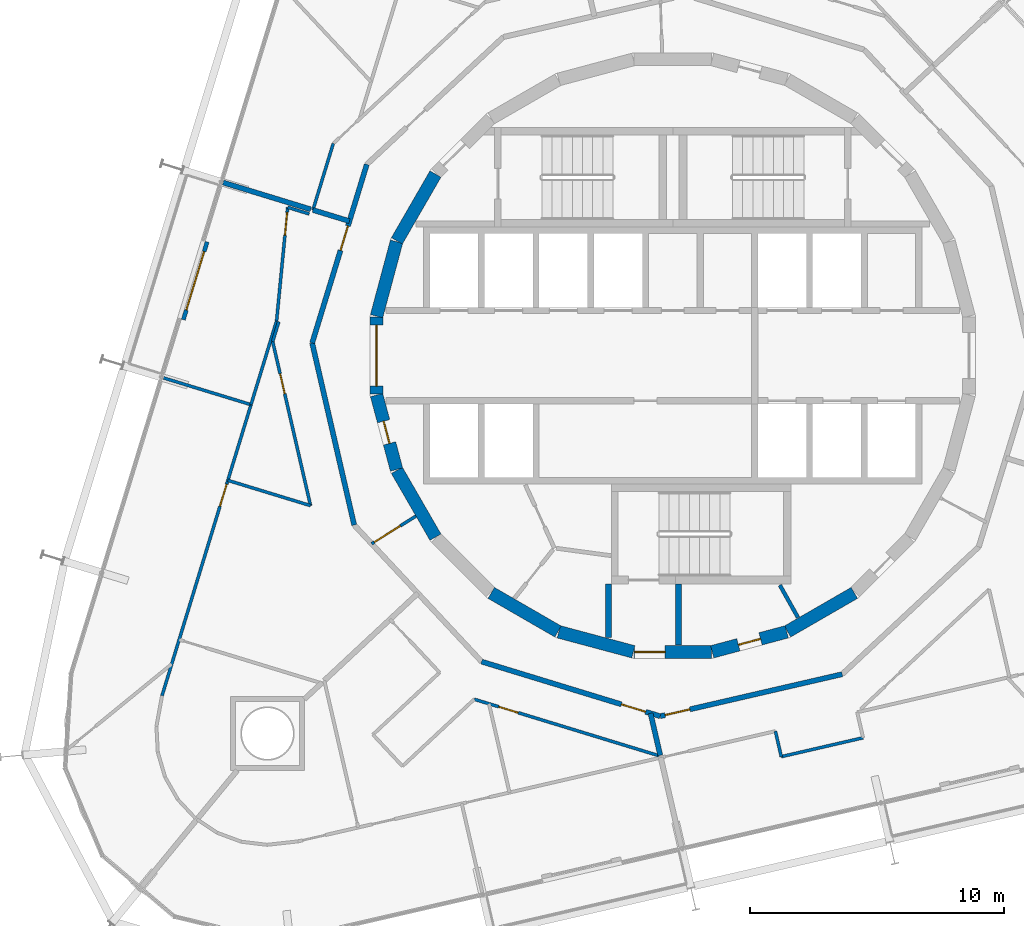
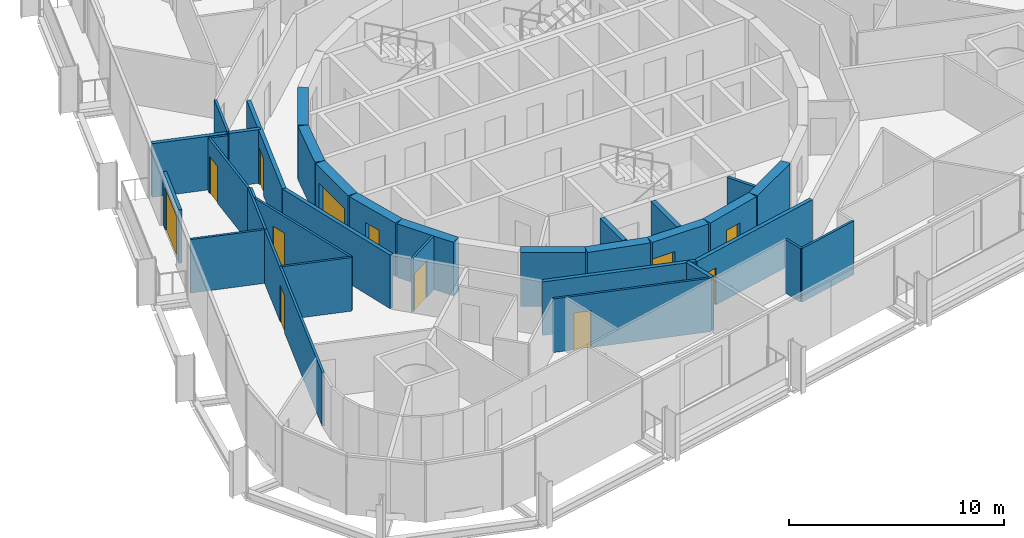
# One storey, part 12 of 18: 34 walls, 13 doors, 13 openings.
"""IFC4 building model written with IfcOpenShell, lengths in metres."""

from ifc_helpers import new_model, si_unit, direction, frame, frame_2d, origin, place, context, subcontext, project, spatial, rectangle, extrude, material, layer, layer_set, type_object, element, fill, save


model = new_model("IFC4")

# Units and contexts
model_context = context("Model", 3, precision=1e-05, world=origin(), true_north=direction((0.0, 1.0)))
body_context = subcontext(model_context, "Body", "Model", "MODEL_VIEW")
ifc_project = project(units=[si_unit("LENGTHUNIT", "METRE"), si_unit("AREAUNIT", "SQUARE_METRE"), si_unit("VOLUMEUNIT", "CUBIC_METRE"), si_unit("PLANEANGLEUNIT", "RADIAN"), si_unit("MASSUNIT", "GRAM", prefix="KILO")], contexts=[model_context])

# Site, building, storey
site_placement = place(None, origin())
site = spatial("IfcSite", under=ifc_project, at=site_placement, CompositionType="ELEMENT")
building_placement = place(site_placement, origin())
building = spatial("IfcBuilding", under=site, at=building_placement, Name="Spindle Arch Residences", CompositionType="ELEMENT")
storey_placement = place(building_placement, frame((0.0, 0.0, 141.39990234375)))
storey = spatial("IfcBuildingStorey", under=building, at=storey_placement, Name="L35", CompositionType="ELEMENT", Elevation=141.39990234375)

# Wall, opening, door
ifc_material_1 = material(Name="Concrete C50/60", Category="concrete")
ifc_layer_1 = layer(ifc_material_1, 0.5)
ifc_layer_set_1 = layer_set([ifc_layer_1], Name="Core outline wall 500")
wall_type_1 = type_object("IfcWallType", Name="Core outline wall 500", PredefinedType="SHEAR", material=ifc_layer_set_1)
wall_1_placement = place(storey_placement, frame((1.5498046875, -11.642822265625, 0.0), z_axis=(0.0, 0.0, 1.0), x_axis=(0.965948410781, 0.258734743916, 0.0)))
wall_1 = element("IfcWall", 1, at=wall_1_placement, inside=storey, type_object=wall_type_1, Name="Core outline wall 1", PredefinedType="SHEAR", context=body_context, shape_type="SweptSolid", body=[
    extrude(rectangle(XDim=3.03271484375, YDim=0.5, at=frame_2d((1.516357421875, 0.0))), origin(), (0.0, 0.0, 1.0), 3.050048828125),
])
opening_1_placement = place(wall_1_placement, frame((1.06640625, 0.0, 0.0)))
opening_1 = element("IfcOpeningElement", 2, at=opening_1_placement, cuts=wall_1, Name="Opening R3C0-WD08", PredefinedType="OPENING", context=body_context, shape_type="SweptSolid", body=[
    extrude(rectangle(XDim=0.89990234375, YDim=2.10009765625, at=frame_2d((0.449951171875, 1.050048828125))), frame((0.0, 0.260009765625, 0.0), z_axis=(0.0, -1.0, 0.0), x_axis=(1.0, 0.0, 0.0)), (0.0, 0.0, 1.0), 0.52001953125),
])
ifc_material_2 = material(Name="Steel, fire-resisting door", Category="steel")
door_type_1 = type_object("IfcDoorType", Name="Service room door 900x2100", OperationType="SINGLE_SWING_LEFT", PredefinedType="DOOR", material=ifc_material_2)
door_1_placement = place(opening_1_placement, origin())
door_1 = element("IfcDoor", 3, at=door_1_placement, inside=storey, type_object=door_type_1, Name="Service room door R3C0-WD08", OperationType="SINGLE_SWING_LEFT", OverallHeight=2.10009765625, OverallWidth=0.89990234375, PredefinedType="DOOR", context=body_context, shape_type="SweptSolid", body=[
    extrude(rectangle(XDim=0.89990234375, YDim=2.10009765625, at=frame_2d((0.449951171875, 1.050048828125))), frame((0.0, 0.02490234375, 0.0), z_axis=(0.0, -1.0, 0.0), x_axis=(1.0, 0.0, 0.0)), (0.0, 0.0, 1.0), 0.050048828125),
])
fill(opening_1, door_1)

# Walls
for number, where, z_axis, x_axis, name in (
    (4, (4.510498046875, -10.84521484375, 0.0), (0.0, 0.0, 1.0), (0.865975092491, 0.500087131594, 0.0), "Core outline wall 2"),
    (5, (-9.32861328125, 7.13671875, 0.0), (0.0, 0.0, 1.0), (-0.500087131594, -0.865975092491, 0.0), "Core outline wall 16"),
    (6, (-10.858154296875, 4.479248046875, 0.0), (0.0, 0.0, 1.0), (-0.258734743916, -0.965948410781, 0.0), "Core outline wall 17"),
):
    element("IfcWall", number, at=place(storey_placement, frame(where, z_axis=z_axis, x_axis=x_axis)), inside=storey, type_object=wall_type_1, Name=name, PredefinedType="SHEAR", context=body_context, shape_type="SweptSolid", body=[
        extrude(rectangle(XDim=3.03271484375, YDim=0.5, at=frame_2d((1.516357421875, 0.0))), origin(), (0.0, 0.0, 1.0), 3.050048828125),
    ])

# Wall, opening, door
wall_2_placement = place(storey_placement, frame((-11.647216796875, 1.516357421875, 0.0), z_axis=(0.0, 0.0, 1.0), x_axis=(0.0, -1.0, 0.0)))
wall_2 = element("IfcWall", 7, at=wall_2_placement, inside=storey, type_object=wall_type_1, Name="Core outline wall 18", PredefinedType="SHEAR", context=body_context, shape_type="SweptSolid", body=[
    extrude(rectangle(XDim=3.03271484375, YDim=0.5, at=frame_2d((1.516357421875, 0.0))), origin(), (0.0, 0.0, 1.0), 3.050048828125),
])
opening_2_placement = place(wall_2_placement, frame((0.31640625, 0.0, 0.0)))
opening_2 = element("IfcOpeningElement", 8, at=opening_2_placement, cuts=wall_2, Name="Opening R3C0-LE01", PredefinedType="OPENING", context=body_context, shape_type="SweptSolid", body=[
    extrude(rectangle(XDim=2.39990234375, YDim=2.10009765625, at=frame_2d((1.199951171875, 1.050048828125))), frame((0.0, 0.260009765625, 0.0), z_axis=(0.0, -1.0, 0.0), x_axis=(1.0, 0.0, 0.0)), (0.0, 0.0, 1.0), 0.52001953125),
])
ifc_material_3 = material(Name="Steel, fire-resisting door", Category="steel")
door_type_2 = type_object("IfcDoorType", Name="Lift lobby entrance door 2400x2100", OperationType="DOUBLE_DOOR_SINGLE_SWING", PredefinedType="DOOR", material=ifc_material_3)
door_2_placement = place(opening_2_placement, origin())
door_2 = element("IfcDoor", 9, at=door_2_placement, inside=storey, type_object=door_type_2, Name="Lift lobby entrance door R3C0-LE01", OperationType="DOUBLE_DOOR_SINGLE_SWING", OverallHeight=2.10009765625, OverallWidth=2.39990234375, PredefinedType="DOOR", context=body_context, shape_type="SweptSolid", body=[
    extrude(rectangle(XDim=2.39990234375, YDim=2.10009765625, at=frame_2d((1.199951171875, 1.050048828125))), frame((0.0, 0.02490234375, 0.0), z_axis=(0.0, -1.0, 0.0), x_axis=(1.0, 0.0, 0.0)), (0.0, 0.0, 1.0), 0.050048828125),
])
fill(opening_2, door_2)

wall_3_placement = place(storey_placement, frame((-11.642822265625, -1.5498046875, 0.0), z_axis=(0.0, 0.0, 1.0), x_axis=(0.258734743916, -0.965948410781, 0.0)))
wall_3 = element("IfcWall", 10, at=wall_3_placement, inside=storey, type_object=wall_type_1, Name="Core outline wall 19", PredefinedType="SHEAR", context=body_context, shape_type="SweptSolid", body=[
    extrude(rectangle(XDim=3.03271484375, YDim=0.5, at=frame_2d((1.516357421875, 0.0))), origin(), (0.0, 0.0, 1.0), 3.050048828125),
])
opening_3_placement = place(wall_3_placement, frame((1.06640625, 0.0, 0.0)))
opening_3 = element("IfcOpeningElement", 11, at=opening_3_placement, cuts=wall_3, Name="Opening R3C0-WD09", PredefinedType="OPENING", context=body_context, shape_type="SweptSolid", body=[
    extrude(rectangle(XDim=0.89990234375, YDim=2.10009765625, at=frame_2d((0.449951171875, 1.050048828125))), frame((0.0, 0.260009765625, 0.0), z_axis=(0.0, -1.0, 0.0), x_axis=(1.0, 0.0, 0.0)), (0.0, 0.0, 1.0), 0.52001953125),
])
door_3_placement = place(opening_3_placement, origin())
door_3 = element("IfcDoor", 12, at=door_3_placement, inside=storey, type_object=door_type_1, Name="Service room door R3C0-WD09", OperationType="SINGLE_SWING_RIGHT", OverallHeight=2.10009765625, OverallWidth=0.89990234375, PredefinedType="DOOR", context=body_context, shape_type="SweptSolid", body=[
    extrude(rectangle(XDim=0.89990234375, YDim=2.10009765625, at=frame_2d((0.449951171875, 1.050048828125))), frame((0.0, 0.02490234375, 0.0), z_axis=(0.0, -1.0, 0.0), x_axis=(1.0, 0.0, 0.0)), (0.0, 0.0, 1.0), 0.050048828125),
])
fill(opening_3, door_3)

# Walls
for number, where, z_axis, x_axis, name in (
    (13, (-10.84521484375, -4.510498046875, 0.0), (0.0, 0.0, 1.0), (0.500087131594, -0.865975092491, 0.0), "Core outline wall 20"),
    (14, (-7.13671875, -9.32861328125, 0.0), (0.0, 0.0, 1.0), (0.865975092491, -0.500087131594, 0.0), "Core outline wall 22"),
    (15, (-4.479248046875, -10.858154296875, 0.0), (0.0, 0.0, 1.0), (0.965948410781, -0.258734743916, 0.0), "Core outline wall 23"),
):
    element("IfcWall", number, at=place(storey_placement, frame(where, z_axis=z_axis, x_axis=x_axis)), inside=storey, type_object=wall_type_1, Name=name, PredefinedType="SHEAR", context=body_context, shape_type="SweptSolid", body=[
        extrude(rectangle(XDim=3.03271484375, YDim=0.5, at=frame_2d((1.516357421875, 0.0))), origin(), (0.0, 0.0, 1.0), 3.050048828125),
    ])

# Wall, opening, door
wall_4_placement = place(storey_placement, frame((-1.516357421875, -11.647216796875, 0.0), z_axis=(0.0, 0.0, 1.0), x_axis=(1.0, 0.0, 0.0)))
wall_4 = element("IfcWall", 16, at=wall_4_placement, inside=storey, type_object=wall_type_1, Name="Core outline wall 24", PredefinedType="SHEAR", context=body_context, shape_type="SweptSolid", body=[
    extrude(rectangle(XDim=3.03271484375, YDim=0.5, at=frame_2d((1.516357421875, 0.0))), origin(), (0.0, 0.0, 1.0), 3.050048828125),
])
opening_4_placement = place(wall_4_placement, frame((0.016357421875, 0.0, 0.0)))
opening_4 = element("IfcOpeningElement", 17, at=opening_4_placement, cuts=wall_4, Name="Opening R3C0-AD03", PredefinedType="OPENING", context=body_context, shape_type="SweptSolid", body=[
    extrude(rectangle(XDim=1.199951171875, YDim=2.10009765625, at=frame_2d((0.60009765625, 1.050048828125))), frame((0.0, 0.260009765625, 0.0), z_axis=(0.0, -1.0, 0.0), x_axis=(1.0, 0.0, 0.0)), (0.0, 0.0, 1.0), 0.52001953125),
])
ifc_material_4 = material(Name="Steel, fire-resisting door", Category="steel")
door_type_3 = type_object("IfcDoorType", Name="Stair airlock door 1200x2100", OperationType="SINGLE_SWING_LEFT", PredefinedType="DOOR", material=ifc_material_4)
door_4_placement = place(opening_4_placement, origin())
door_4 = element("IfcDoor", 18, at=door_4_placement, inside=storey, type_object=door_type_3, Name="Stair airlock door R3C0-AD03", OperationType="SINGLE_SWING_RIGHT", OverallHeight=2.10009765625, OverallWidth=1.199951171875, PredefinedType="DOOR", context=body_context, shape_type="SweptSolid", body=[
    extrude(rectangle(XDim=1.199951171875, YDim=2.10009765625, at=frame_2d((0.60009765625, 1.050048828125))), frame((0.0, 0.02490234375, 0.0), z_axis=(0.0, -1.0, 0.0), x_axis=(1.0, 0.0, 0.0)), (0.0, 0.0, 1.0), 0.050048828125),
])
fill(opening_4, door_4)

ifc_material_5 = material(Name="Plasterboard on steel studs", Category="steel")
ifc_layer_2 = layer(ifc_material_5, 0.1201171875)
ifc_layer_set_2 = layer_set([ifc_layer_2], Name="Corridor division wall 120")
wall_type_2 = type_object("IfcWallType", Name="Corridor division wall 120", PredefinedType="PARTITIONING", material=ifc_layer_set_2)
wall_5_placement = place(storey_placement, frame((-11.835693359375, -7.395751953125, 0.0), z_axis=(0.0, 0.0, 1.0), x_axis=(0.848071831599, 0.529881277692, 0.0)))
wall_5 = element("IfcWall", 19, at=wall_5_placement, inside=storey, type_object=wall_type_2, Name="Corridor division wall R3C0-W003", PredefinedType="PARTITIONING", context=body_context, shape_type="SweptSolid", body=[
    extrude(rectangle(XDim=2.0517578125, YDim=0.1201171875, at=frame_2d((1.02587890625, 0.0))), origin(), (0.0, 0.0, 1.0), 3.050048828125),
])
opening_5_placement = place(wall_5_placement, frame((0.125, 0.0, 0.0)))
opening_5 = element("IfcOpeningElement", 20, at=opening_5_placement, cuts=wall_5, Name="Opening R3C0-CD03", PredefinedType="OPENING", context=body_context, shape_type="SweptSolid", body=[
    extrude(rectangle(XDim=1.199951171875, YDim=2.10009765625, at=frame_2d((0.60009765625, 1.050048828125))), frame((0.0, 0.070068359375, 0.0), z_axis=(0.0, -1.0, 0.0), x_axis=(1.0, 0.0, 0.0)), (0.0, 0.0, 1.0), 0.14013671875),
])
ifc_material_6 = material(Name="Steel, fire-resisting door", Category="steel")
door_type_4 = type_object("IfcDoorType", Name="Corridor division door 1200x2100", OperationType="NOTDEFINED", PredefinedType="DOOR", material=ifc_material_6)
door_5_placement = place(opening_5_placement, origin())
door_5 = element("IfcDoor", 21, at=door_5_placement, inside=storey, type_object=door_type_4, Name="Corridor division door R3C0-CD03", OperationType="DOUBLE_DOOR_SINGLE_SWING", OverallHeight=2.10009765625, OverallWidth=1.199951171875, PredefinedType="DOOR", context=body_context, shape_type="SweptSolid", body=[
    extrude(rectangle(XDim=1.199951171875, YDim=2.10009765625, at=frame_2d((0.60009765625, 1.050048828125))), frame((0.0, 0.02490234375, 0.0), z_axis=(0.0, -1.0, 0.0), x_axis=(1.0, 0.0, 0.0)), (0.0, 0.0, 1.0), 0.050048828125),
])
fill(opening_5, door_5)

ifc_material_7 = material(Name="Calcium silicate block, plastered")
ifc_layer_3 = layer(ifc_material_7, 0.199951171875)
ifc_layer_set_3 = layer_set([ifc_layer_3], Name="Corridor wall 200")
wall_type_3 = type_object("IfcWallType", Name="Corridor wall 200", PredefinedType="STANDARD", material=ifc_layer_set_3)
wall_6_placement = place(storey_placement, frame((-12.028076171875, 7.51611328125, 0.0), z_axis=(0.0, 0.0, 1.0), x_axis=(-0.292365533182, -0.956306642771, 0.0)))
wall_6 = element("IfcWall", 22, at=wall_6_placement, inside=storey, type_object=wall_type_3, Name="Corridor wall R3C0-W010", PredefinedType="STANDARD", context=body_context, shape_type="SweptSolid", body=[
    extrude(rectangle(XDim=7.341796875, YDim=0.199951171875, at=frame_2d((3.6708984375, 0.0))), origin(), (0.0, 0.0, 1.0), 3.050048828125),
])
opening_6_placement = place(wall_6_placement, frame((2.53271484375, 0.0, 0.0)))
opening_6 = element("IfcOpeningElement", 23, at=opening_6_placement, cuts=wall_6, Name="Opening R3C0-FD04", PredefinedType="OPENING", context=body_context, shape_type="SweptSolid", body=[
    extrude(rectangle(XDim=1.0, YDim=2.10009765625, at=frame_2d((0.5, 1.050048828125))), frame((0.0, 0.10986328125, 0.0), z_axis=(0.0, -1.0, 0.0), x_axis=(1.0, 0.0, 0.0)), (0.0, 0.0, 1.0), 0.219970703125),
])
ifc_material_8 = material(Name="Timber, fire-resisting door set", Category="wood")
door_type_5 = type_object("IfcDoorType", Name="Flat entrance door 1000x2100", OperationType="NOTDEFINED", PredefinedType="DOOR", material=ifc_material_8)
door_6_placement = place(opening_6_placement, origin())
door_6 = element("IfcDoor", 24, at=door_6_placement, inside=storey, type_object=door_type_5, Name="Flat entrance door R3C0-FD04", OperationType="SINGLE_SWING_LEFT", OverallHeight=2.10009765625, OverallWidth=1.0, PredefinedType="DOOR", context=body_context, shape_type="SweptSolid", body=[
    extrude(rectangle(XDim=1.0, YDim=2.10009765625, at=frame_2d((0.5, 1.050048828125))), frame((0.0, 0.02490234375, 0.0), z_axis=(0.0, -1.0, 0.0), x_axis=(1.0, 0.0, 0.0)), (0.0, 0.0, 1.0), 0.050048828125),
])
fill(opening_6, door_6)

# Wall
wall_7_placement = place(storey_placement, frame((-14.174560546875, 0.4951171875, 0.0), z_axis=(0.0, 0.0, 1.0), x_axis=(0.224922649383, -0.974376622151, 0.0)))
element("IfcWall", 25, at=wall_7_placement, inside=storey, type_object=wall_type_3, Name="Corridor wall R3C0-W011", PredefinedType="STANDARD", context=body_context, shape_type="SweptSolid", body=[
    extrude(rectangle(XDim=7.342041015625, YDim=0.199951171875, at=frame_2d((3.6708984375, 0.0))), origin(), (0.0, 0.0, 1.0), 3.050048828125),
])

# Wall, opening, door
wall_8_placement = place(storey_placement, frame((-7.51611328125, -12.028076171875, 0.0), z_axis=(0.0, 0.0, 1.0), x_axis=(0.956306642771, -0.292365533182, 0.0)))
wall_8 = element("IfcWall", 26, at=wall_8_placement, inside=storey, type_object=wall_type_3, Name="Corridor wall R3C0-W013", PredefinedType="STANDARD", context=body_context, shape_type="SweptSolid", body=[
    extrude(rectangle(XDim=7.341796875, YDim=0.199951171875, at=frame_2d((3.6708984375, 0.0))), origin(), (0.0, 0.0, 1.0), 3.050048828125),
])
opening_7_placement = place(wall_8_placement, frame((5.7451171875, 0.0, 0.0)))
opening_7 = element("IfcOpeningElement", 27, at=opening_7_placement, cuts=wall_8, Name="Opening R3C0-FD05", PredefinedType="OPENING", context=body_context, shape_type="SweptSolid", body=[
    extrude(rectangle(XDim=1.0, YDim=2.10009765625, at=frame_2d((0.5, 1.050048828125))), frame((0.0, 0.10986328125, 0.0), z_axis=(0.0, -1.0, 0.0), x_axis=(1.0, 0.0, 0.0)), (0.0, 0.0, 1.0), 0.219970703125),
])
door_7_placement = place(opening_7_placement, origin())
door_7 = element("IfcDoor", 28, at=door_7_placement, inside=storey, type_object=door_type_5, Name="Flat entrance door R3C0-FD05", OperationType="SINGLE_SWING_LEFT", OverallHeight=2.10009765625, OverallWidth=1.0, PredefinedType="DOOR", context=body_context, shape_type="SweptSolid", body=[
    extrude(rectangle(XDim=1.0, YDim=2.10009765625, at=frame_2d((0.5, 1.050048828125))), frame((0.0, 0.02490234375, 0.0), z_axis=(0.0, -1.0, 0.0), x_axis=(1.0, 0.0, 0.0)), (0.0, 0.0, 1.0), 0.050048828125),
])
fill(opening_7, door_7)

wall_9_placement = place(storey_placement, frame((-0.4951171875, -14.174560546875, 0.0), z_axis=(0.0, 0.0, 1.0), x_axis=(0.974376622151, 0.224922649383, 0.0)))
wall_9 = element("IfcWall", 29, at=wall_9_placement, inside=storey, type_object=wall_type_3, Name="Corridor wall R3C0-W014", PredefinedType="STANDARD", context=body_context, shape_type="SweptSolid", body=[
    extrude(rectangle(XDim=7.342041015625, YDim=0.199951171875, at=frame_2d((3.6708984375, 0.0))), origin(), (0.0, 0.0, 1.0), 3.050048828125),
])
opening_8_placement = place(wall_9_placement, frame((0.199951171875, 0.0, 0.0)))
opening_8 = element("IfcOpeningElement", 30, at=opening_8_placement, cuts=wall_9, Name="Opening R3C0-FD06", PredefinedType="OPENING", context=body_context, shape_type="SweptSolid", body=[
    extrude(rectangle(XDim=1.0, YDim=2.10009765625, at=frame_2d((0.5, 1.050048828125))), frame((0.0, 0.10986328125, 0.0), z_axis=(0.0, -1.0, 0.0), x_axis=(1.0, 0.0, 0.0)), (0.0, 0.0, 1.0), 0.219970703125),
])
door_8_placement = place(opening_8_placement, origin())
door_8 = element("IfcDoor", 31, at=door_8_placement, inside=storey, type_object=door_type_5, Name="Flat entrance door R3C0-FD06", OperationType="SINGLE_SWING_LEFT", OverallHeight=2.10009765625, OverallWidth=1.0, PredefinedType="DOOR", context=body_context, shape_type="SweptSolid", body=[
    extrude(rectangle(XDim=1.0, YDim=2.10009765625, at=frame_2d((0.5, 1.050048828125))), frame((0.0, 0.02490234375, 0.0), z_axis=(0.0, -1.0, 0.0), x_axis=(1.0, 0.0, 0.0)), (0.0, 0.0, 1.0), 0.050048828125),
])
fill(opening_8, door_8)

# Walls
ifc_material_9 = material(Name="Plasterboard on steel studs", Category="steel")
ifc_layer_4 = layer(ifc_material_9, 0.1201171875)
ifc_layer_set_4 = layer_set([ifc_layer_4], Name="Flat partition 120")
wall_type_4 = type_object("IfcWallType", Name="Flat partition 120", PredefinedType="PARTITIONING", material=ifc_layer_set_4)
wall_10_placement = place(storey_placement, frame((-13.34521484375, 8.3388671875, 0.0), z_axis=(0.0, 0.0, 1.0), x_axis=(-0.292316072367, -0.956321762712, 0.0)))
element("IfcWall", 32, at=wall_10_placement, inside=storey, type_object=wall_type_4, Name="Flat partition R3C0-W063", PredefinedType="PARTITIONING", context=body_context, shape_type="SweptSolid", body=[
    extrude(rectangle(XDim=2.734375, YDim=0.1201171875, at=frame_2d((1.3671875, 0.0))), origin(), (0.0, 0.0, 1.0), 3.050048828125),
])
wall_11_placement = place(storey_placement, frame((-14.287353515625, 5.567626953125, 0.0), z_axis=(0.0, 0.0, 1.0), x_axis=(-0.956287662261, 0.292427609859, 0.0)))
element("IfcWall", 33, at=wall_11_placement, inside=storey, type_object=wall_type_4, Name="Flat partition R3C0-W074", PredefinedType="PARTITIONING", context=body_context, shape_type="SweptSolid", body=[
    extrude(rectangle(XDim=0.889892578125, YDim=0.1201171875, at=frame_2d((0.44482421875, 0.0))), origin(), (0.0, 0.0, 1.0), 3.050048828125),
])

# Wall, opening, door
wall_12_placement = place(storey_placement, frame((-15.138427734375, 5.827880859375, 0.0), z_axis=(0.0, 0.0, 1.0), x_axis=(-0.096967255409, -0.995287572201, 0.0)))
wall_12 = element("IfcWall", 34, at=wall_12_placement, inside=storey, type_object=wall_type_4, Name="Flat partition R3C0-W075", PredefinedType="PARTITIONING", context=body_context, shape_type="SweptSolid", body=[
    extrude(rectangle(XDim=4.4892578125, YDim=0.1201171875, at=frame_2d((2.24462890625, 0.0))), origin(), (0.0, 0.0, 1.0), 3.050048828125),
])
opening_9_placement = place(wall_12_placement, frame((0.199951171875, 0.0, 0.0)))
opening_9 = element("IfcOpeningElement", 35, at=opening_9_placement, cuts=wall_12, Name="Opening R3C0-ID18", PredefinedType="OPENING", context=body_context, shape_type="SweptSolid", body=[
    extrude(rectangle(XDim=0.89990234375, YDim=2.10009765625, at=frame_2d((0.449951171875, 1.050048828125))), frame((0.0, 0.070068359375, 0.0), z_axis=(0.0, -1.0, 0.0), x_axis=(1.0, 0.0, 0.0)), (0.0, 0.0, 1.0), 0.14013671875),
])
ifc_material_10 = material(Name="Timber door set", Category="wood")
door_type_6 = type_object("IfcDoorType", Name="Room door 900x2100", OperationType="NOTDEFINED", PredefinedType="DOOR", material=ifc_material_10)
door_9_placement = place(opening_9_placement, origin())
door_9 = element("IfcDoor", 36, at=door_9_placement, inside=storey, type_object=door_type_6, Name="Room door R3C0-ID18", OperationType="SINGLE_SWING_LEFT", OverallHeight=2.10009765625, OverallWidth=0.89990234375, PredefinedType="DOOR", context=body_context, shape_type="SweptSolid", body=[
    extrude(rectangle(XDim=0.89990234375, YDim=2.10009765625, at=frame_2d((0.449951171875, 1.050048828125))), frame((0.0, 0.02490234375, 0.0), z_axis=(0.0, -1.0, 0.0), x_axis=(1.0, 0.0, 0.0)), (0.0, 0.0, 1.0), 0.050048828125),
])
fill(opening_9, door_9)

# Wall
wall_13_placement = place(storey_placement, frame((-15.48681640625, 1.33349609375, 0.0), z_axis=(0.0, 0.0, 1.0), x_axis=(-0.2923698127, -0.956305334411, 0.0)))
element("IfcWall", 37, at=wall_13_placement, inside=storey, type_object=wall_type_4, Name="Flat partition R3C0-W076", PredefinedType="PARTITIONING", context=body_context, shape_type="SweptSolid", body=[
    extrude(rectangle(XDim=0.820068359375, YDim=0.1201171875, at=frame_2d((0.41015625, 0.0))), origin(), (0.0, 0.0, 1.0), 3.050048828125),
])

# Wall, opening, door
wall_14_placement = place(storey_placement, frame((-15.7265625, 0.54931640625, 0.0), z_axis=(0.0, 0.0, 1.0), x_axis=(0.224948441297, -0.974370668051, 0.0)))
wall_14 = element("IfcWall", 38, at=wall_14_placement, inside=storey, type_object=wall_type_4, Name="Flat partition R3C0-W077", PredefinedType="PARTITIONING", context=body_context, shape_type="SweptSolid", body=[
    extrude(rectangle(XDim=6.6162109375, YDim=0.1201171875, at=frame_2d((3.30810546875, 0.0))), origin(), (0.0, 0.0, 1.0), 3.050048828125),
])
opening_10_placement = place(wall_14_placement, frame((1.300048828125, 0.0, 0.0)))
opening_10 = element("IfcOpeningElement", 39, at=opening_10_placement, cuts=wall_14, Name="Opening R3C0-BD04", PredefinedType="OPENING", context=body_context, shape_type="SweptSolid", body=[
    extrude(rectangle(XDim=0.800048828125, YDim=2.10009765625, at=frame_2d((0.39990234375, 1.050048828125))), frame((0.0, 0.070068359375, 0.0), z_axis=(0.0, -1.0, 0.0), x_axis=(1.0, 0.0, 0.0)), (0.0, 0.0, 1.0), 0.14013671875),
])
ifc_material_11 = material(Name="Timber door set", Category="wood")
door_type_7 = type_object("IfcDoorType", Name="Bathroom door 800x2100", OperationType="NOTDEFINED", PredefinedType="DOOR", material=ifc_material_11)
door_10_placement = place(opening_10_placement, origin())
door_10 = element("IfcDoor", 40, at=door_10_placement, inside=storey, type_object=door_type_7, Name="Bathroom door R3C0-BD04", OperationType="SINGLE_SWING_RIGHT", OverallHeight=2.10009765625, OverallWidth=0.800048828125, PredefinedType="DOOR", context=body_context, shape_type="SweptSolid", body=[
    extrude(rectangle(XDim=0.800048828125, YDim=2.10009765625, at=frame_2d((0.39990234375, 1.050048828125))), frame((0.0, 0.02490234375, 0.0), z_axis=(0.0, -1.0, 0.0), x_axis=(1.0, 0.0, 0.0)), (0.0, 0.0, 1.0), 0.050048828125),
])
fill(opening_10, door_10)

# Wall
wall_15_placement = place(storey_placement, frame((-14.23828125, -5.897216796875, 0.0), z_axis=(0.0, 0.0, 1.0), x_axis=(-0.956314762513, 0.292338972768, 0.0)))
element("IfcWall", 41, at=wall_15_placement, inside=storey, type_object=wall_type_4, Name="Flat partition R3C0-W078", PredefinedType="PARTITIONING", context=body_context, shape_type="SweptSolid", body=[
    extrude(rectangle(XDim=3.39892578125, YDim=0.1201171875, at=frame_2d((1.699462890625, 0.0))), origin(), (0.0, 0.0, 1.0), 3.050048828125),
])

# Wall, opening, door
wall_16_placement = place(storey_placement, frame((-16.5791015625, -1.927978515625, 0.0), z_axis=(0.0, 0.0, 1.0), x_axis=(-0.29236733738, -0.956306091183, 0.0)))
wall_16 = element("IfcWall", 42, at=wall_16_placement, inside=storey, type_object=wall_type_4, Name="Flat partition R3C0-W079", PredefinedType="PARTITIONING", context=body_context, shape_type="SweptSolid", body=[
    extrude(rectangle(XDim=11.962890625, YDim=0.1201171875, at=frame_2d((5.9814453125, 0.0))), origin(), (0.0, 0.0, 1.0), 3.050048828125),
])
opening_11_placement = place(wall_16_placement, frame((3.271484375, 0.0, 0.0)))
opening_11 = element("IfcOpeningElement", 43, at=opening_11_placement, cuts=wall_16, Name="Opening R3C0-ID19", PredefinedType="OPENING", context=body_context, shape_type="SweptSolid", body=[
    extrude(rectangle(XDim=0.89990234375, YDim=2.10009765625, at=frame_2d((0.449951171875, 1.050048828125))), frame((0.0, 0.070068359375, 0.0), z_axis=(0.0, -1.0, 0.0), x_axis=(1.0, 0.0, 0.0)), (0.0, 0.0, 1.0), 0.14013671875),
])
door_11_placement = place(opening_11_placement, origin())
door_11 = element("IfcDoor", 44, at=door_11_placement, inside=storey, type_object=door_type_6, Name="Room door R3C0-ID19", OperationType="SINGLE_SWING_RIGHT", OverallHeight=2.10009765625, OverallWidth=0.89990234375, PredefinedType="DOOR", context=body_context, shape_type="SweptSolid", body=[
    extrude(rectangle(XDim=0.89990234375, YDim=2.10009765625, at=frame_2d((0.449951171875, 1.050048828125))), frame((0.0, 0.02490234375, 0.0), z_axis=(0.0, -1.0, 0.0), x_axis=(1.0, 0.0, 0.0)), (0.0, 0.0, 1.0), 0.050048828125),
])
fill(opening_11, door_11)

# Walls
wall_17_placement = place(storey_placement, frame((-16.5791015625, -1.927978515625, 0.0), z_axis=(0.0, 0.0, 1.0), x_axis=(0.292418780126, 0.956290362301, 0.0)))
element("IfcWall", 45, at=wall_17_placement, inside=storey, type_object=wall_type_4, Name="Flat partition R3C0-W081", PredefinedType="PARTITIONING", context=body_context, shape_type="SweptSolid", body=[
    extrude(rectangle(XDim=3.438232421875, YDim=0.1201171875, at=frame_2d((1.71923828125, 0.0))), origin(), (0.0, 0.0, 1.0), 3.050048828125),
])
wall_18_placement = place(storey_placement, frame((-20.021728515625, -0.87548828125, 0.0), z_axis=(0.0, 0.0, 1.0), x_axis=(0.956306810244, -0.292364985388, 0.0)))
element("IfcWall", 46, at=wall_18_placement, inside=storey, type_object=wall_type_4, Name="Flat partition R3C0-W082", PredefinedType="PARTITIONING", context=body_context, shape_type="SweptSolid", body=[
    extrude(rectangle(XDim=3.599853515625, YDim=0.1201171875, at=frame_2d((1.7998046875, 0.0))), origin(), (0.0, 0.0, 1.0), 3.050048828125),
])

# Wall, opening, door
wall_19_placement = place(storey_placement, frame((-7.8037109375, -13.5087890625, 0.0), z_axis=(0.0, 0.0, 1.0), x_axis=(0.956309088343, -0.292357533772, 0.0)))
wall_19 = element("IfcWall", 47, at=wall_19_placement, inside=storey, type_object=wall_type_4, Name="Flat partition R3C0-W093", PredefinedType="PARTITIONING", context=body_context, shape_type="SweptSolid", body=[
    extrude(rectangle(XDim=7.5859375, YDim=0.1201171875, at=frame_2d((3.79296875, 0.0))), origin(), (0.0, 0.0, 1.0), 3.050048828125),
])
opening_12_placement = place(wall_19_placement, frame((1.005615234375, 0.0, 0.0)))
opening_12 = element("IfcOpeningElement", 48, at=opening_12_placement, cuts=wall_19, Name="Opening R3C0-BD05", PredefinedType="OPENING", context=body_context, shape_type="SweptSolid", body=[
    extrude(rectangle(XDim=0.800048828125, YDim=2.10009765625, at=frame_2d((0.39990234375, 1.050048828125))), frame((0.0, 0.070068359375, 0.0), z_axis=(0.0, -1.0, 0.0), x_axis=(1.0, 0.0, 0.0)), (0.0, 0.0, 1.0), 0.14013671875),
])
door_12_placement = place(opening_12_placement, origin())
door_12 = element("IfcDoor", 49, at=door_12_placement, inside=storey, type_object=door_type_7, Name="Bathroom door R3C0-BD05", OperationType="SINGLE_SWING_LEFT", OverallHeight=2.10009765625, OverallWidth=0.800048828125, PredefinedType="DOOR", context=body_context, shape_type="SweptSolid", body=[
    extrude(rectangle(XDim=0.800048828125, YDim=2.10009765625, at=frame_2d((0.39990234375, 1.050048828125))), frame((0.0, 0.02490234375, 0.0), z_axis=(0.0, -1.0, 0.0), x_axis=(1.0, 0.0, 0.0)), (0.0, 0.0, 1.0), 0.050048828125),
])
fill(opening_12, door_12)

# Walls
wall_20_placement = place(storey_placement, frame((4.03369140625, -14.76171875, 0.0), z_axis=(0.0, 0.0, 1.0), x_axis=(0.224859506699, -0.974391195695, 0.0)))
element("IfcWall", 50, at=wall_20_placement, inside=storey, type_object=wall_type_4, Name="Flat partition R3C0-W102", PredefinedType="PARTITIONING", context=body_context, shape_type="SweptSolid", body=[
    extrude(rectangle(XDim=1.029296875, YDim=0.1201171875, at=frame_2d((0.5146484375, 0.0))), origin(), (0.0, 0.0, 1.0), 3.050048828125),
])
wall_21_placement = place(storey_placement, frame((4.26513671875, -15.7646484375, 0.0), z_axis=(0.0, 0.0, 1.0), x_axis=(0.974382467056, 0.22489732745, 0.0)))
element("IfcWall", 51, at=wall_21_placement, inside=storey, type_object=wall_type_4, Name="Flat partition R3C0-W103", PredefinedType="PARTITIONING", context=body_context, shape_type="SweptSolid", body=[
    extrude(rectangle(XDim=3.300048828125, YDim=0.1201171875, at=frame_2d((1.64990234375, 0.0))), origin(), (0.0, 0.0, 1.0), 3.050048828125),
])
ifc_material_12 = material(Name="Calcium silicate block, plastered")
ifc_layer_5 = layer(ifc_material_12, 0.199951171875)
ifc_layer_set_5 = layer_set([ifc_layer_5], Name="Flat party wall 200")
wall_type_5 = type_object("IfcWallType", Name="Flat party wall 200", PredefinedType="STANDARD", material=ifc_layer_set_5)
wall_22_placement = place(storey_placement, frame((-14.14453125, 5.723876953125, 0.0), z_axis=(0.0, 0.0, 1.0), x_axis=(0.956266872747, -0.292495586439, 0.0)))
element("IfcWall", 52, at=wall_22_placement, inside=storey, type_object=wall_type_5, Name="Flat party wall R3C0-W024", PredefinedType="STANDARD", context=body_context, shape_type="SweptSolid", body=[
    extrude(rectangle(XDim=1.5, YDim=0.199951171875, at=frame_2d((0.75, 0.0))), origin(), (0.0, 0.0, 1.0), 3.050048828125),
])
wall_23_placement = place(storey_placement, frame((-17.67431640625, 6.802978515625, 0.0), z_axis=(0.0, 0.0, 1.0), x_axis=(0.956293645939, -0.292408041504, 0.0)))
element("IfcWall", 53, at=wall_23_placement, inside=storey, type_object=wall_type_5, Name="Flat party wall R3C0-W025", PredefinedType="STANDARD", context=body_context, shape_type="SweptSolid", body=[
    extrude(rectangle(XDim=3.600341796875, YDim=0.199951171875, at=frame_2d((1.80029296875, 0.0))), origin(), (0.0, 0.0, 1.0), 3.050048828125),
])
wall_24_placement = place(storey_placement, frame((-0.492431640625, -15.71337890625, 0.0), z_axis=(0.0, 0.0, 1.0), x_axis=(-0.224974992875, 0.97436453783, 0.0)))
element("IfcWall", 54, at=wall_24_placement, inside=storey, type_object=wall_type_5, Name="Flat party wall R3C0-W029", PredefinedType="STANDARD", context=body_context, shape_type="SweptSolid", body=[
    extrude(rectangle(XDim=1.6982421875, YDim=0.199951171875, at=frame_2d((0.84912109375, 0.0))), origin(), (0.0, 0.0, 1.0), 3.050048828125),
])

# Wall, opening, door
ifc_material_13 = material(Name="Non-combustible mineral wool insulated aluminium faced external wall (K0)", Category="aluminium")
ifc_layer_6 = layer(ifc_material_13, 0.159912109375)
ifc_layer_set_6 = layer_set([ifc_layer_6], Name="Insulated external wall panel 160")
wall_type_6 = type_object("IfcWallType", Name="Insulated external wall panel 160", PredefinedType="STANDARD", material=ifc_layer_set_6)
wall_25_placement = place(storey_placement, frame((-18.3037109375, 4.470458984375, 0.0), z_axis=(0.0, 0.0, 1.0), x_axis=(-0.292348395078, -0.956311882126, 0.0)))
wall_25 = element("IfcWall", 55, at=wall_25_placement, inside=storey, type_object=wall_type_6, Name="External wall L35 bay 15", PredefinedType="STANDARD", context=body_context, shape_type="SweptSolid", body=[
    extrude(rectangle(XDim=3.2001953125, YDim=0.159912109375, at=frame_2d((1.60009765625, 0.0))), origin(), (0.0, 0.0, 1.0), 3.050048828125),
])
opening_13_placement = place(wall_25_placement, frame((0.39990234375, 0.0, 0.0)))
opening_13 = element("IfcOpeningElement", 56, at=opening_13_placement, cuts=wall_25, Name="Opening BD15", PredefinedType="OPENING", context=body_context, shape_type="SweptSolid", body=[
    extrude(rectangle(XDim=2.39990234375, YDim=2.39990234375, at=frame_2d((1.199951171875, 1.199951171875))), frame((0.0, 0.08984375, 0.0), z_axis=(0.0, -1.0, 0.0), x_axis=(1.0, 0.0, 0.0)), (0.0, 0.0, 1.0), 0.179931640625),
])
ifc_material_14 = material(Name="Bronze aluminium frame, tinted double glazing", Category="aluminium")
door_type_8 = type_object("IfcDoorType", Name="Sliding glazed balcony door 2400x2400", OperationType="DOUBLE_DOOR_SLIDING", PredefinedType="DOOR", material=ifc_material_14)
door_13_placement = place(opening_13_placement, origin())
door_13 = element("IfcDoor", 57, at=door_13_placement, inside=storey, type_object=door_type_8, Name="Balcony door BD15", OperationType="DOUBLE_DOOR_SLIDING", OverallHeight=2.39990234375, OverallWidth=2.39990234375, PredefinedType="DOOR", context=body_context, shape_type="SweptSolid", body=[
    extrude(rectangle(XDim=2.39990234375, YDim=2.39990234375, at=frame_2d((1.199951171875, 1.199951171875))), frame((0.0, 0.02490234375, 0.0), z_axis=(0.0, -1.0, 0.0), x_axis=(1.0, 0.0, 0.0)), (0.0, 0.0, 1.0), 0.050048828125),
])
fill(opening_13, door_13)

# Walls
ifc_material_15 = material(Name="Concrete C25/30", Category="concrete")
ifc_layer_7 = layer(ifc_material_15, 0.14990234375)
ifc_layer_set_7 = layer_set([ifc_layer_7], Name="Service room partition 150")
wall_type_7 = type_object("IfcWallType", Name="Service room partition 150", PredefinedType="PARTITIONING", material=ifc_layer_set_7)
wall_26_placement = place(storey_placement, frame((4.922119140625, -10.295654296875, 0.0), z_axis=(0.0, 0.0, 1.0), x_axis=(-0.48860846254, 0.872503163509, 0.0)))
element("IfcWall", 58, at=wall_26_placement, inside=storey, type_object=wall_type_7, Name="Core service room partition", PredefinedType="PARTITIONING", context=body_context, shape_type="SweptSolid", body=[
    extrude(rectangle(XDim=1.45947265625, YDim=0.14990234375, at=frame_2d((0.729736328125, 0.0))), origin(), (0.0, 0.0, 1.0), 3.050048828125),
])
ifc_material_16 = material(Name="Concrete C40/50", Category="concrete")
ifc_layer_8 = layer(ifc_material_16, 0.25)
ifc_layer_set_8 = layer_set([ifc_layer_8], Name="Stair airlock wall 250")
wall_type_8 = type_object("IfcWallType", Name="Stair airlock wall 250", PredefinedType="SHEAR", material=ifc_layer_set_8)
wall_27_placement = place(storey_placement, frame((-2.52490234375, -8.969970703125, 0.0), z_axis=(0.0, 0.0, 1.0), x_axis=(0.0, -1.0, 0.0)))
element("IfcWall", 59, at=wall_27_placement, inside=storey, type_object=wall_type_8, Name="Stair ST-3 airlock wall W", PredefinedType="SHEAR", context=body_context, shape_type="SweptSolid", body=[
    extrude(rectangle(XDim=2.110107421875, YDim=0.25, at=frame_2d((1.05517578125, 0.0))), origin(), (0.0, 0.0, 1.0), 3.050048828125),
])
wall_28_placement = place(storey_placement, frame((0.22509765625, -8.969970703125, 0.0), z_axis=(0.0, 0.0, 1.0), x_axis=(0.0, -1.0, 0.0)))
element("IfcWall", 60, at=wall_28_placement, inside=storey, type_object=wall_type_8, Name="Stair ST-3 airlock wall E", PredefinedType="SHEAR", context=body_context, shape_type="SweptSolid", body=[
    extrude(rectangle(XDim=2.409912109375, YDim=0.25, at=frame_2d((1.205078125, 0.0))), origin(), (0.0, 0.0, 1.0), 3.050048828125),
])

save(model, "model.ifc")
